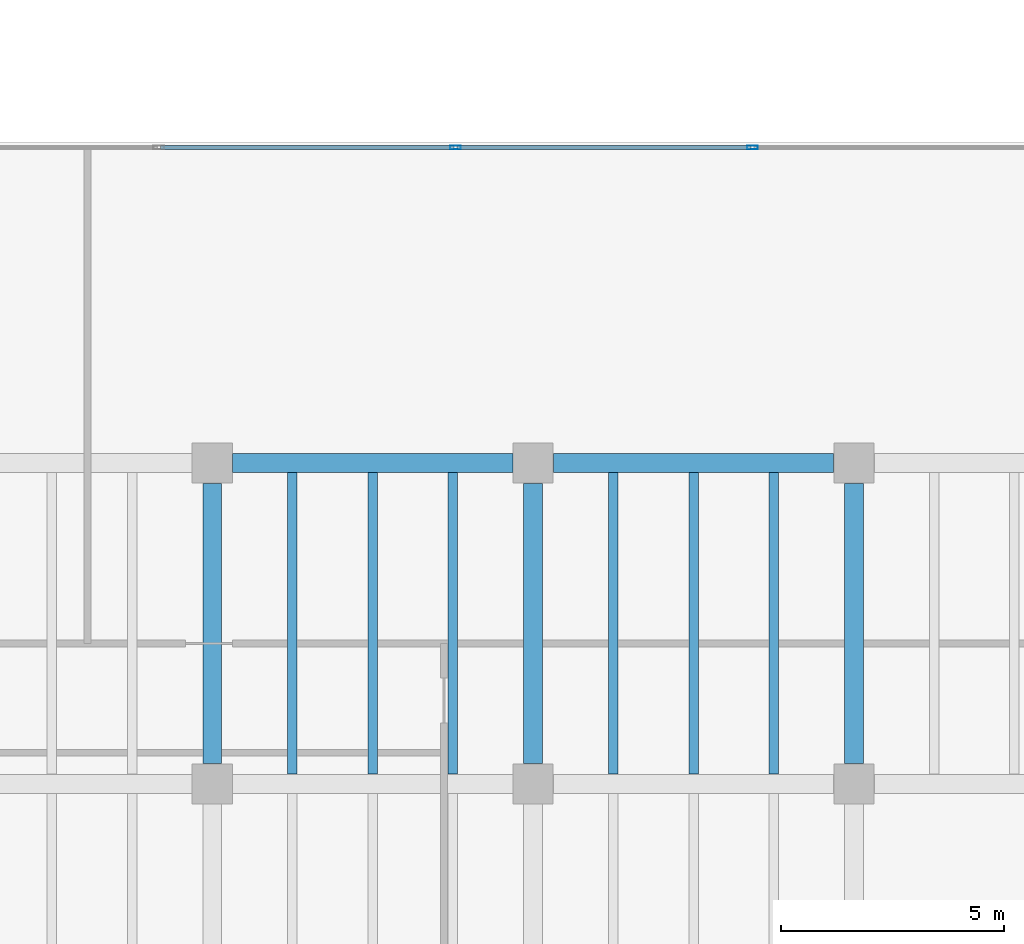
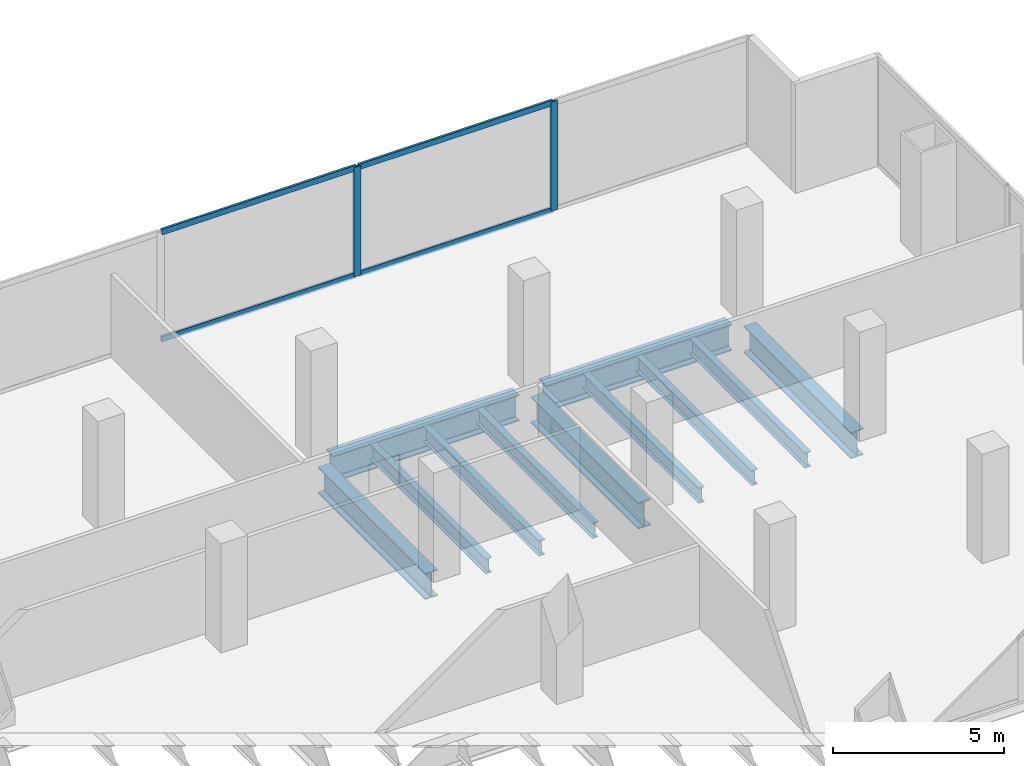
# One storey, part 19 of 29: 11 beams, 6 members, 1 element without a shape of its own.
"""IFC4 building model written with IfcOpenShell, lengths in metres."""

from ifc_helpers import new_model, si_unit, direction, frame, origin, origin_2d, place, context, subcontext, project, spatial, hollow_rectangle, i_section, extrude, material, material_profile, profile_set, type_object, element, aggregate, save


model = new_model("IFC4")

# Units and contexts
model_context = context("Model", 3, precision=1e-05, world=origin(), true_north=direction((0.0, 1.0)))
body_context = subcontext(model_context, "Body", "Model", "MODEL_VIEW")
ifc_project = project(units=[si_unit("LENGTHUNIT", "METRE"), si_unit("AREAUNIT", "SQUARE_METRE"), si_unit("VOLUMEUNIT", "CUBIC_METRE"), si_unit("PLANEANGLEUNIT", "RADIAN"), si_unit("MASSUNIT", "GRAM", prefix="KILO")], contexts=[model_context])

# Site, building, storey
site_placement = place(None, origin())
site = spatial("IfcSite", under=ifc_project, at=site_placement, CompositionType="ELEMENT")
building_placement = place(site_placement, origin())
building = spatial("IfcBuilding", under=site, at=building_placement, Name="Cobrela Telecom Tower", CompositionType="ELEMENT")
storey_placement = place(building_placement, frame((0.0, 0.0, 13.64990234375)))
storey = spatial("IfcBuildingStorey", under=building, at=storey_placement, Name="L03", CompositionType="ELEMENT", Elevation=13.64990234375)

# Beams
ifc_material_1 = material(Name="Steel ASTM A992 Grade 50", Category="steel")
ifc_material_profile_1 = material_profile(ifc_material_1, i_section(OverallWidth=0.424072265625, OverallDepth=0.947021484375, WebThickness=0.02392578125, FlangeThickness=0.042724609375, FilletRadius=0.02392578125, at=origin_2d()), Name="W36X302")
ifc_profile_set_1 = profile_set([ifc_material_profile_1], Name="Steel ASTM A992 Grade 50")
beam_type_1 = type_object("IfcBeamType", Name="BM-GIRD-01", PredefinedType="USERDEFINED", material=ifc_profile_set_1)
for number, where, z_axis, x_axis, name in (
    (1, (65.2548828125, 21.60009765625, -0.7734375), (1.0, 0.0, 0.0), (0.0, 1.0, 0.0), "L03 Primary Girder X35"),
    (2, (72.455078125, 21.60009765625, -0.7734375), (1.0, 0.0, 0.0), (0.0, 1.0, 0.0), "L03 Primary Girder X36"),
    (3, (64.800048828125, 14.85498046875, -0.7734375), (0.0, 1.0, 0.0), (-1.0, 0.0, 0.0), "L03 Primary Girder Y93"),
    (4, (72.0, 14.85498046875, -0.7734375), (0.0, 1.0, 0.0), (-1.0, 0.0, 0.0), "L03 Primary Girder Y96"),
    (5, (79.199951171875, 14.85498046875, -0.7734375), (0.0, 1.0, 0.0), (-1.0, 0.0, 0.0), "L03 Primary Girder Y99"),
):
    element("IfcBeam", number, at=place(storey_placement, frame(where, z_axis=z_axis, x_axis=x_axis)), inside=storey, type_object=beam_type_1, Name=name, ObjectType="GIRDER", PredefinedType="USERDEFINED", context=body_context, shape_type="SweptSolid", body=[
        extrude(i_section(OverallWidth=0.424072265625, OverallDepth=0.947021484375, WebThickness=0.02392578125, FlangeThickness=0.042724609375, FilletRadius=0.02392578125, at=origin_2d()), origin(), (0.0, 0.0, 1.0), 6.2900390625),
    ])
ifc_material_profile_2 = material_profile(ifc_material_1, i_section(OverallWidth=0.212890625, OverallDepth=0.549072265625, WebThickness=0.0146484375, FlangeThickness=0.023681640625, FilletRadius=0.013916015625, at=origin_2d()), Name="W21X93")
ifc_profile_set_2 = profile_set([ifc_material_profile_2], Name="Steel ASTM A992 Grade 50")
beam_type_2 = type_object("IfcBeamType", Name="BM-JOIST-01", PredefinedType="JOIST", material=ifc_profile_set_2)
for number, where, z_axis, x_axis, name in (
    (6, (66.60009765625, 14.616943359375, -0.574462890625), (0.0, 1.0, 0.0), (-1.0, 0.0, 0.0), "L03 Secondary Composite Floor Beam J120"),
    (7, (68.39990234375, 14.616943359375, -0.574462890625), (0.0, 1.0, 0.0), (-1.0, 0.0, 0.0), "L03 Secondary Composite Floor Beam J123"),
    (8, (70.199951171875, 14.616943359375, -0.574462890625), (0.0, 1.0, 0.0), (-1.0, 0.0, 0.0), "L03 Secondary Composite Floor Beam J126"),
    (9, (73.800048828125, 14.616943359375, -0.574462890625), (0.0, 1.0, 0.0), (-1.0, 0.0, 0.0), "L03 Secondary Composite Floor Beam J129"),
    (10, (75.60009765625, 14.616943359375, -0.574462890625), (0.0, 1.0, 0.0), (-1.0, 0.0, 0.0), "L03 Secondary Composite Floor Beam J132"),
    (11, (77.39990234375, 14.616943359375, -0.574462890625), (0.0, 1.0, 0.0), (-1.0, 0.0, 0.0), "L03 Secondary Composite Floor Beam J135"),
):
    element("IfcBeam", number, at=place(storey_placement, frame(where, z_axis=z_axis, x_axis=x_axis)), inside=storey, type_object=beam_type_2, Name=name, PredefinedType="JOIST", context=body_context, shape_type="SweptSolid", body=[
        extrude(i_section(OverallWidth=0.212890625, OverallDepth=0.549072265625, WebThickness=0.0146484375, FlangeThickness=0.023681640625, FilletRadius=0.013916015625, at=origin_2d()), origin(), (0.0, 0.0, 1.0), 6.76611328125),
    ])

# Curtain wall, members
ifc_material_2 = material(Name="Anodized Bronze Aluminium 6063-T6", Category="aluminium")
curtain_wall_type = type_object("IfcCurtainWallType", Name="CW-SYS-CONC", PredefinedType="USERDEFINED", material=ifc_material_2)
curtain_wall_placement = place(storey_placement, origin())
curtain_wall = element("IfcCurtainWall", 12, at=curtain_wall_placement, inside=storey, type_object=curtain_wall_type, Name="L03 Unitised Bronze Curtain Wall 11", ObjectType="UNITISED CURTAIN WALL", PredefinedType="USERDEFINED")
ifc_material_profile_3 = material_profile(ifc_material_2, hollow_rectangle(XDim=0.080078125, YDim=0.239990234375, WallThickness=0.0048828125, at=origin_2d()), Name="ALU 80x240x5")
ifc_profile_set_3 = profile_set([ifc_material_profile_3], Name="Anodized Bronze Aluminium 6063-T6")
member_type_1 = type_object("IfcMemberType", Name="CW-SYS-CONC-MUL", PredefinedType="MULLION", material=ifc_profile_set_3)
member_1_placement = place(storey_placement, frame((70.260009765625, 28.679931640625, 0.0), z_axis=(0.0, 0.0, 1.0), x_axis=(0.0, 1.0, 0.0)))
member_1 = element("IfcMember", 13, at=member_1_placement, type_object=member_type_1, Name="CW-CONC mullion 4", PredefinedType="MULLION", context=body_context, shape_type="SweptSolid", body=[
    extrude(hollow_rectangle(XDim=0.080078125, YDim=0.239990234375, WallThickness=0.0048828125, at=origin_2d()), origin(), (0.0, 0.0, 1.0), 3.91015625),
])
member_2_placement = place(storey_placement, frame((76.919921875, 28.679931640625, 0.0), z_axis=(0.0, 0.0, 1.0), x_axis=(0.0, 1.0, 0.0)))
member_2 = element("IfcMember", 14, at=member_2_placement, type_object=member_type_1, Name="CW-CONC mullion 5", PredefinedType="MULLION", context=body_context, shape_type="SweptSolid", body=[
    extrude(hollow_rectangle(XDim=0.080078125, YDim=0.239990234375, WallThickness=0.0048828125, at=origin_2d()), origin(), (0.0, 0.0, 1.0), 3.91015625),
])
ifc_material_profile_4 = material_profile(ifc_material_2, hollow_rectangle(XDim=0.080078125, YDim=0.199951171875, WallThickness=0.00390625, at=origin_2d()), Name="ALU 80x200x4")
ifc_profile_set_4 = profile_set([ifc_material_profile_4], Name="Anodized Bronze Aluminium 6063-T6")
member_type_2 = type_object("IfcMemberType", Name="CW-SYS-CONC-TRN", PredefinedType="USERDEFINED", material=ifc_profile_set_4)
member_3_placement = place(storey_placement, frame((63.639892578125, 28.679931640625, 0.0400390625), z_axis=(1.0, 0.0, 0.0), x_axis=(0.0, 1.0, 0.0)))
member_3 = element("IfcMember", 15, at=member_3_placement, type_object=member_type_2, Name="CW-CONC transom 3.1", ObjectType="TRANSOM", PredefinedType="USERDEFINED", context=body_context, shape_type="SweptSolid", body=[
    extrude(hollow_rectangle(XDim=0.080078125, YDim=0.199951171875, WallThickness=0.00390625, at=origin_2d()), origin(), (0.0, 0.0, 1.0), 6.580078125),
])
member_4_placement = place(storey_placement, frame((63.639892578125, 28.679931640625, 3.8701171875), z_axis=(1.0, 0.0, 0.0), x_axis=(0.0, 1.0, 0.0)))
member_4 = element("IfcMember", 16, at=member_4_placement, type_object=member_type_2, Name="CW-CONC transom 3.2", ObjectType="TRANSOM", PredefinedType="USERDEFINED", context=body_context, shape_type="SweptSolid", body=[
    extrude(hollow_rectangle(XDim=0.080078125, YDim=0.199951171875, WallThickness=0.00390625, at=origin_2d()), origin(), (0.0, 0.0, 1.0), 6.580078125),
])
member_5_placement = place(storey_placement, frame((70.300048828125, 28.679931640625, 0.0400390625), z_axis=(1.0, 0.0, 0.0), x_axis=(0.0, 1.0, 0.0)))
member_5 = element("IfcMember", 17, at=member_5_placement, type_object=member_type_2, Name="CW-CONC transom 4.1", ObjectType="TRANSOM", PredefinedType="USERDEFINED", context=body_context, shape_type="SweptSolid", body=[
    extrude(hollow_rectangle(XDim=0.080078125, YDim=0.199951171875, WallThickness=0.00390625, at=origin_2d()), origin(), (0.0, 0.0, 1.0), 6.579833984375),
])
member_6_placement = place(storey_placement, frame((70.300048828125, 28.679931640625, 3.8701171875), z_axis=(1.0, 0.0, 0.0), x_axis=(0.0, 1.0, 0.0)))
member_6 = element("IfcMember", 18, at=member_6_placement, type_object=member_type_2, Name="CW-CONC transom 4.2", ObjectType="TRANSOM", PredefinedType="USERDEFINED", context=body_context, shape_type="SweptSolid", body=[
    extrude(hollow_rectangle(XDim=0.080078125, YDim=0.199951171875, WallThickness=0.00390625, at=origin_2d()), origin(), (0.0, 0.0, 1.0), 6.579833984375),
])
aggregate(curtain_wall, [member_1, member_2, member_3, member_4, member_5, member_6])

save(model, "model.ifc")
